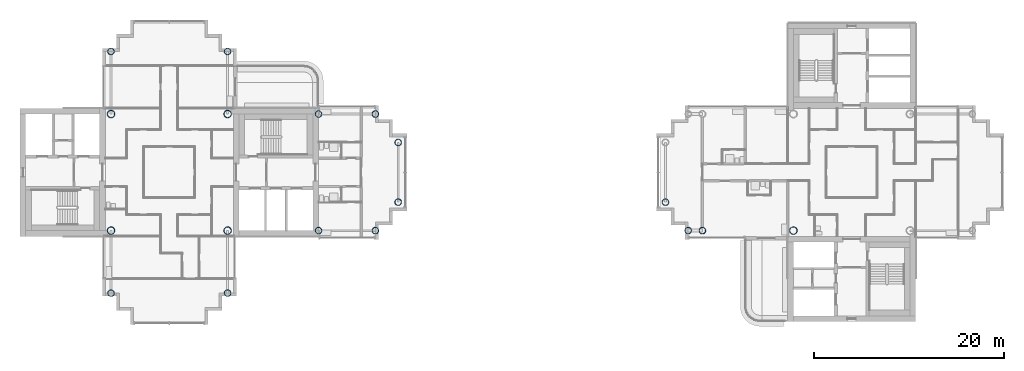
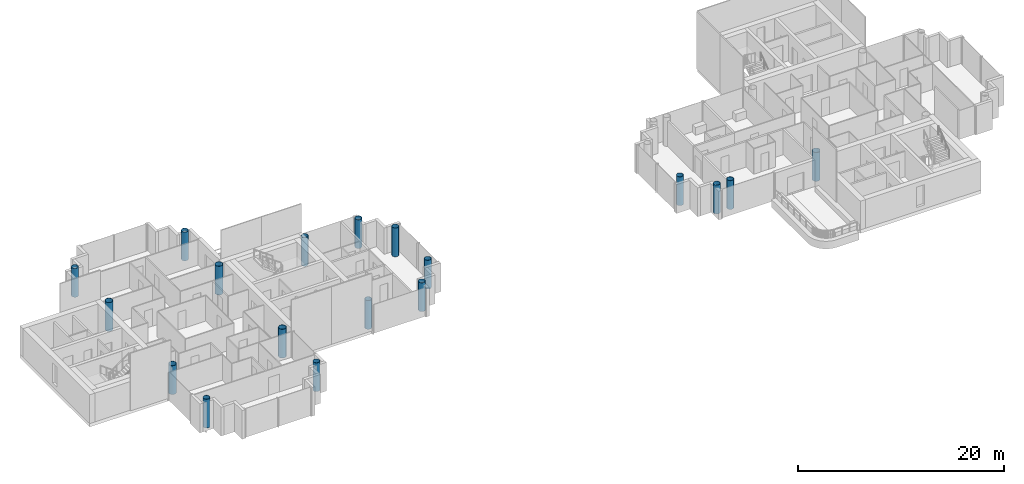
# One storey, part 1 of 18: 18 columns.
"""IFC4 building model written with IfcOpenShell, lengths in metres."""

from ifc_helpers import new_model, si_unit, direction, frame, origin, origin_2d, place, context, subcontext, project, spatial, hollow_circle, extrude, material, material_profile, profile_set, type_object, element, save


model = new_model("IFC4")

# Units and contexts
model_context = context("Model", 3, precision=1e-05, world=origin(), true_north=direction((0.0, 1.0)))
body_context = subcontext(model_context, "Body", "Model", "MODEL_VIEW")
ifc_project = project(units=[si_unit("LENGTHUNIT", "METRE"), si_unit("AREAUNIT", "SQUARE_METRE"), si_unit("VOLUMEUNIT", "CUBIC_METRE"), si_unit("PLANEANGLEUNIT", "RADIAN"), si_unit("MASSUNIT", "GRAM", prefix="KILO")], contexts=[model_context])

# Site, building, storey
site_placement = place(None, origin())
site = spatial("IfcSite", under=ifc_project, at=site_placement, CompositionType="ELEMENT")
building_placement = place(site_placement, origin())
building = spatial("IfcBuilding", under=site, at=building_placement, Name="Ipe Terrace Towers", CompositionType="ELEMENT")
storey_placement = place(building_placement, frame((0.0, 0.0, 206.199951171875)))
storey = spatial("IfcBuildingStorey", under=building, at=storey_placement, Name="L57", CompositionType="ELEMENT", Elevation=206.199951171875)

# Columns
ifc_material_1 = material(Name="Steel S355 tube with Concrete C60/75 fill", Category="concrete")
ifc_material_profile_1 = material_profile(ifc_material_1, hollow_circle(Radius=0.35009765625, WallThickness=0.02490234375, at=origin_2d()), Name="CHS-700x25")
ifc_profile_set_1 = profile_set([ifc_material_profile_1], Name="Steel S355 tube with Concrete C60/75 fill")
column_type_1 = type_object("IfcColumnType", Name="CH08 COLUMN CHS-700x25", PredefinedType="COLUMN", material=ifc_profile_set_1)
for number, where, z_axis, x_axis, name in (
    (1, (-20.25, -6.14990234375, 0.0), (0.0, 0.0, 1.0), (1.0, 0.0, 0.0), "Column T1-C-A01"),
    (2, (-20.25, 6.14990234375, 0.0), (0.0, 0.0, 1.0), (1.0, 0.0, 0.0), "Column T1-C-A02"),
    (3, (-14.25, -6.14990234375, 0.0), (0.0, 0.0, 1.0), (1.0, 0.0, 0.0), "Column T1-C-A03"),
    (4, (-14.25, 6.14990234375, 0.0), (0.0, 0.0, 1.0), (1.0, 0.0, 0.0), "Column T1-C-A04"),
    (5, (-11.85009765625, -3.14990234375, 0.0), (0.0, 0.0, 1.0), (1.0, 0.0, 0.0), "Column T1-C-A05"),
    (6, (-11.85009765625, 3.14990234375, 0.0), (0.0, 0.0, 1.0), (1.0, 0.0, 0.0), "Column T1-C-A06"),
    (7, (-29.85009765625, 12.75, 0.0), (0.0, 0.0, 1.0), (1.0, 0.0, 0.0), "Column T1-C-B01"),
    (8, (-42.14990234375, 12.75, 0.0), (0.0, 0.0, 1.0), (1.0, 0.0, 0.0), "Column T1-C-B02"),
    (9, (-42.14990234375, -12.75, 0.0), (0.0, 0.0, 1.0), (1.0, 0.0, 0.0), "Column T1-C-D01"),
    (10, (-29.85009765625, -12.75, 0.0), (0.0, 0.0, 1.0), (1.0, 0.0, 0.0), "Column T1-C-D02"),
    (11, (20.25, -6.14990234375, 0.0), (0.0, 0.0, 1.0), (1.0, 0.0, 0.0), "Column T2-C-B04"),
    (12, (18.75, -6.14990234375, 0.0), (0.0, 0.0, 1.0), (1.0, 0.0, 0.0), "Column T2-C-B06"),
    (13, (16.35009765625, -3.14990234375, 0.0), (0.0, 0.0, 1.0), (1.0, 0.0, 0.0), "Column T2-C-B08"),
):
    element("IfcColumn", number, at=place(storey_placement, frame(where, z_axis=z_axis, x_axis=x_axis)), inside=storey, type_object=column_type_1, Name=name, PredefinedType="COLUMN", context=body_context, shape_type="SweptSolid", body=[
        extrude(hollow_circle(Radius=0.35009765625, WallThickness=0.02490234375, at=origin_2d()), origin(), (0.0, 0.0, 1.0), 3.400146484375),
    ])
ifc_material_2 = material(Name="Steel S355 tube with Concrete C60/75 fill", Category="concrete")
ifc_material_profile_2 = material_profile(ifc_material_2, hollow_circle(Radius=0.39990234375, WallThickness=0.028076171875, at=origin_2d()), Name="CHS-800x28")
ifc_profile_set_2 = profile_set([ifc_material_profile_2], Name="Steel S355 tube with Concrete C60/75 fill")
column_type_2 = type_object("IfcColumnType", Name="CH09 COLUMN CHS-800x28", PredefinedType="COLUMN", material=ifc_profile_set_2)
for number, where, z_axis, x_axis, name in (
    (14, (-42.14990234375, -6.14990234375, 0.0), (0.0, 0.0, 1.0), (1.0, 0.0, 0.0), "Column T1-C-E01"),
    (15, (-29.85009765625, -6.14990234375, 0.0), (0.0, 0.0, 1.0), (1.0, 0.0, 0.0), "Column T1-C-E02"),
    (16, (-29.85009765625, 6.14990234375, 0.0), (0.0, 0.0, 1.0), (1.0, 0.0, 0.0), "Column T1-C-E03"),
    (17, (-42.14990234375, 6.14990234375, 0.0), (0.0, 0.0, 1.0), (1.0, 0.0, 0.0), "Column T1-C-E04"),
    (18, (29.85009765625, -6.14990234375, 0.0), (0.0, 0.0, 1.0), (1.0, 0.0, 0.0), "Column T2-C-E04"),
):
    element("IfcColumn", number, at=place(storey_placement, frame(where, z_axis=z_axis, x_axis=x_axis)), inside=storey, type_object=column_type_2, Name=name, PredefinedType="COLUMN", context=body_context, shape_type="SweptSolid", body=[
        extrude(hollow_circle(Radius=0.39990234375, WallThickness=0.028076171875, at=origin_2d()), origin(), (0.0, 0.0, 1.0), 3.400146484375),
    ])

save(model, "model.ifc")
